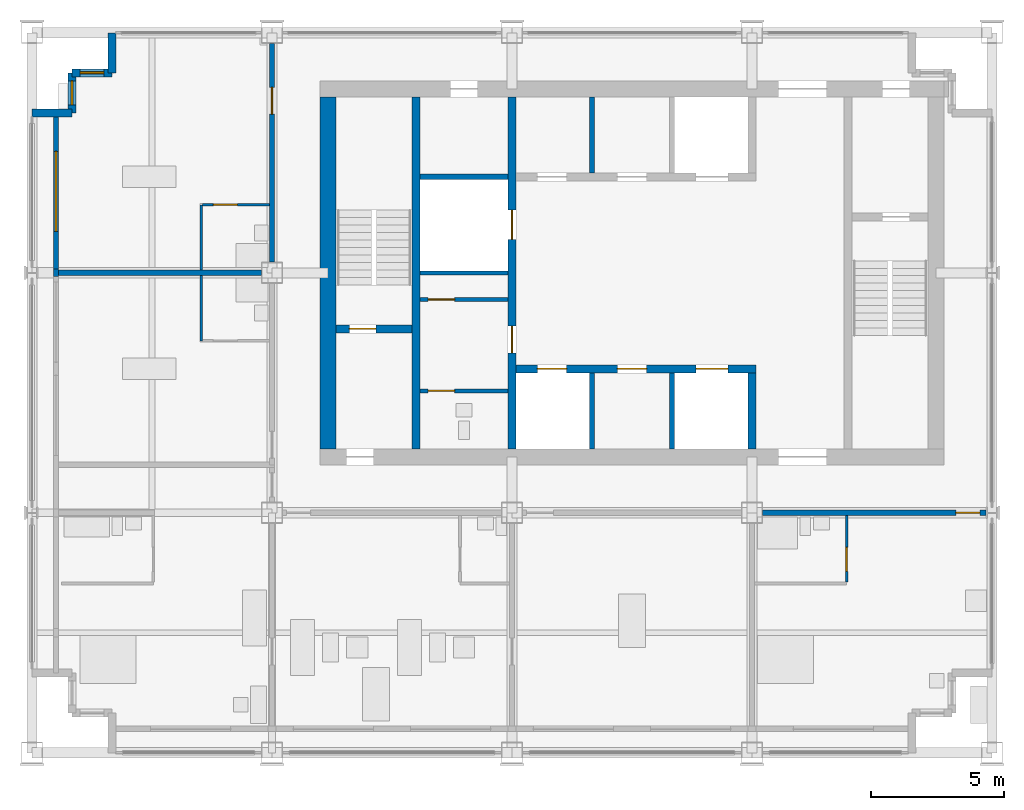
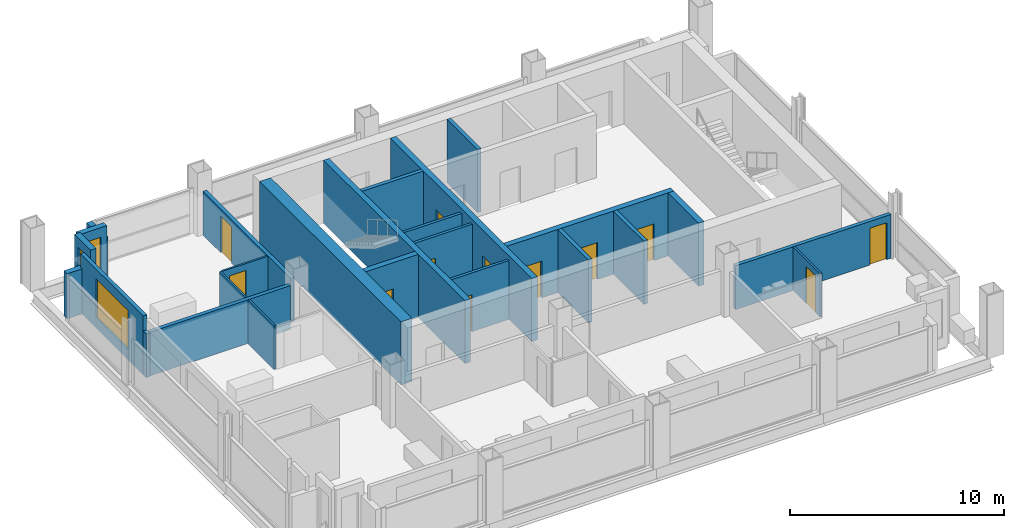
# One storey, part 7 of 11: 26 walls, 12 doors, 3 windows, 15 openings.
"""IFC4 building model written with IfcOpenShell, lengths in metres."""

from ifc_helpers import new_model, si_unit, direction, frame, frame_2d, origin, place, context, subcontext, project, spatial, rectangle, extrude, material, layer, layer_set, type_object, element, fill, save


model = new_model("IFC4")

# Units and contexts
model_context = context("Model", 3, precision=1e-05, world=origin(), true_north=direction((0.0, 1.0)))
body_context = subcontext(model_context, "Body", "Model", "MODEL_VIEW")
ifc_project = project(units=[si_unit("LENGTHUNIT", "METRE"), si_unit("AREAUNIT", "SQUARE_METRE"), si_unit("VOLUMEUNIT", "CUBIC_METRE"), si_unit("PLANEANGLEUNIT", "RADIAN"), si_unit("MASSUNIT", "GRAM", prefix="KILO")], contexts=[model_context])

# Site, building, storey
site_placement = place(None, origin())
site = spatial("IfcSite", under=ifc_project, at=site_placement, CompositionType="ELEMENT")
building_placement = place(site_placement, origin())
building = spatial("IfcBuilding", under=site, at=building_placement, Name="Loomwork Tower", CompositionType="ELEMENT")
storey_placement = place(building_placement, frame((0.0, 0.0, 266.199951171875)))
storey = spatial("IfcBuildingStorey", under=building, at=storey_placement, Name="L73", CompositionType="ELEMENT", Elevation=266.199951171875)

# Wall
ifc_material_1 = material(Name="Concrete 14000 psi (97 MPa)", Category="concrete")
ifc_layer_1 = layer(ifc_material_1, 0.300048828125)
ifc_layer_set_1 = layer_set([ifc_layer_1], Name="Core shear wall 300")
wall_type_1 = type_object("IfcWallType", Name="Core shear wall 300", PredefinedType="SHEAR", material=ifc_layer_set_1)
wall_1_placement = place(storey_placement, frame((14.39990234375, 11.39990234375, 0.0), z_axis=(0.0, 0.0, 1.0), x_axis=(0.0, 1.0, 0.0)))
element("IfcWall", 1, at=wall_1_placement, inside=storey, type_object=wall_type_1, Name="Stair A east wall L73", PredefinedType="SHEAR", context=body_context, shape_type="SweptSolid", body=[
    extrude(rectangle(XDim=13.2001953125, YDim=0.300048828125, at=frame_2d((6.60009765625, 0.0))), origin(), (0.0, 0.0, 1.0), 3.60009765625),
])

# Wall, opening, door
wall_2_placement = place(storey_placement, frame((11.39990234375, 15.89990234375, 0.0), z_axis=(0.0, 0.0, 1.0), x_axis=(1.0, 0.0, 0.0)))
wall_2 = element("IfcWall", 2, at=wall_2_placement, inside=storey, type_object=wall_type_1, Name="Stair A south wall L73", PredefinedType="SHEAR", context=body_context, shape_type="SweptSolid", body=[
    extrude(rectangle(XDim=2.85009765625, YDim=0.300048828125, at=frame_2d((1.425048828125, 0.0))), origin(), (0.0, 0.0, 1.0), 3.60009765625),
])
opening_1_placement = place(wall_2_placement, frame((0.5, 0.0, 0.0)))
opening_1 = element("IfcOpeningElement", 3, at=opening_1_placement, cuts=wall_2, Name="Opening D4", PredefinedType="OPENING", context=body_context, shape_type="SweptSolid", body=[
    extrude(rectangle(XDim=1.0, YDim=2.10009765625, at=frame_2d((0.5, 1.050048828125))), frame((0.0, 0.159912109375, 0.0), z_axis=(0.0, -1.0, 0.0), x_axis=(1.0, 0.0, 0.0)), (0.0, 0.0, 1.0), 0.320068359375),
])
ifc_material_2 = material(Name="Hollow metal door and frame")
door_type_1 = type_object("IfcDoorType", Name="Stair door 1000", OperationType="SINGLE_SWING_RIGHT", PredefinedType="DOOR", material=ifc_material_2)
door_1_placement = place(opening_1_placement, origin())
door_1 = element("IfcDoor", 4, at=door_1_placement, inside=storey, type_object=door_type_1, Name="Stair A door", OperationType="SINGLE_SWING_LEFT", OverallHeight=2.10009765625, OverallWidth=1.0, PredefinedType="DOOR", context=body_context, shape_type="SweptSolid", body=[
    extrude(rectangle(XDim=1.0, YDim=2.10009765625, at=frame_2d((0.5, 1.050048828125))), frame((0.0, 0.02490234375, 0.0), z_axis=(0.0, -1.0, 0.0), x_axis=(1.0, 0.0, 0.0)), (0.0, 0.0, 1.0), 0.050048828125),
])
fill(opening_1, door_1)

# Wall, openings, doors
wall_3_placement = place(storey_placement, frame((18.0, 11.39990234375, 0.0), z_axis=(0.0, 0.0, 1.0), x_axis=(0.0, 1.0, 0.0)))
wall_3 = element("IfcWall", 5, at=wall_3_placement, inside=storey, type_object=wall_type_1, Name="Lobby west wall L73", PredefinedType="SHEAR", context=body_context, shape_type="SweptSolid", body=[
    extrude(rectangle(XDim=13.2001953125, YDim=0.300048828125, at=frame_2d((6.60009765625, 0.0))), origin(), (0.0, 0.0, 1.0), 3.60009765625),
])
opening_2_placement = place(wall_3_placement, frame((3.60009765625, 0.0, 0.0)))
opening_2 = element("IfcOpeningElement", 6, at=opening_2_placement, cuts=wall_3, Name="Opening D5", PredefinedType="OPENING", context=body_context, shape_type="SweptSolid", body=[
    extrude(rectangle(XDim=1.0, YDim=2.10009765625, at=frame_2d((0.5, 1.050048828125))), frame((0.0, 0.159912109375, 0.0), z_axis=(0.0, -1.0, 0.0), x_axis=(1.0, 0.0, 0.0)), (0.0, 0.0, 1.0), 0.320068359375),
])
opening_3_placement = place(wall_3_placement, frame((7.85009765625, 0.0, 0.0)))
opening_3 = element("IfcOpeningElement", 7, at=opening_3_placement, cuts=wall_3, Name="Opening LD1", PredefinedType="OPENING", context=body_context, shape_type="SweptSolid", body=[
    extrude(rectangle(XDim=1.10009765625, YDim=2.10009765625, at=frame_2d((0.550048828125, 1.050048828125))), frame((0.0, 0.159912109375, 0.0), z_axis=(0.0, -1.0, 0.0), x_axis=(1.0, 0.0, 0.0)), (0.0, 0.0, 1.0), 0.320068359375),
])
ifc_material_3 = material(Name="Hollow metal door and frame")
door_type_2 = type_object("IfcDoorType", Name="Lift landing door 1100", OperationType="SLIDING_TO_LEFT", PredefinedType="DOOR", material=ifc_material_3)
door_2_placement = place(opening_3_placement, origin())
door_2 = element("IfcDoor", 8, at=door_2_placement, inside=storey, type_object=door_type_2, Name="Lift landing door LC2", OperationType="SLIDING_TO_LEFT", OverallHeight=2.10009765625, OverallWidth=1.10009765625, PredefinedType="DOOR", context=body_context, shape_type="SweptSolid", body=[
    extrude(rectangle(XDim=1.10009765625, YDim=2.10009765625, at=frame_2d((0.550048828125, 1.050048828125))), frame((0.0, 0.02490234375, 0.0), z_axis=(0.0, -1.0, 0.0), x_axis=(1.0, 0.0, 0.0)), (0.0, 0.0, 1.0), 0.050048828125),
])
fill(opening_3, door_2)
ifc_material_4 = material(Name="Hollow metal door and frame")
door_type_3 = type_object("IfcDoorType", Name="Service door 1000", OperationType="SINGLE_SWING_LEFT", PredefinedType="DOOR", material=ifc_material_4)
door_3_placement = place(opening_2_placement, origin())
door_3 = element("IfcDoor", 9, at=door_3_placement, inside=storey, type_object=door_type_3, Name="Back-of-house door south", OperationType="SINGLE_SWING_LEFT", OverallHeight=2.10009765625, OverallWidth=1.0, PredefinedType="DOOR", context=body_context, shape_type="SweptSolid", body=[
    extrude(rectangle(XDim=1.0, YDim=2.10009765625, at=frame_2d((0.5, 1.050048828125))), frame((0.0, 0.02490234375, 0.0), z_axis=(0.0, -1.0, 0.0), x_axis=(1.0, 0.0, 0.0)), (0.0, 0.0, 1.0), 0.050048828125),
])
fill(opening_2, door_3)

wall_4_placement = place(storey_placement, frame((18.14990234375, 14.39990234375, 0.0), z_axis=(0.0, 0.0, 1.0), x_axis=(1.0, 0.0, 0.0)))
wall_4 = element("IfcWall", 10, at=wall_4_placement, inside=storey, type_object=wall_type_1, Name="Lift front wall south L73", PredefinedType="SHEAR", context=body_context, shape_type="SweptSolid", body=[
    extrude(rectangle(XDim=9.0, YDim=0.300048828125, at=frame_2d((4.5, 0.0))), origin(), (0.0, 0.0, 1.0), 3.60009765625),
])
opening_4_placement = place(wall_4_placement, frame((0.800048828125, 0.0, 0.0)))
opening_4 = element("IfcOpeningElement", 11, at=opening_4_placement, cuts=wall_4, Name="Opening LD1", PredefinedType="OPENING", context=body_context, shape_type="SweptSolid", body=[
    extrude(rectangle(XDim=1.10009765625, YDim=2.10009765625, at=frame_2d((0.550048828125, 1.050048828125))), frame((0.0, 0.159912109375, 0.0), z_axis=(0.0, -1.0, 0.0), x_axis=(1.0, 0.0, 0.0)), (0.0, 0.0, 1.0), 0.320068359375),
])
opening_5_placement = place(wall_4_placement, frame((6.75, 0.0, 0.0)))
opening_5 = element("IfcOpeningElement", 12, at=opening_5_placement, cuts=wall_4, Name="Opening LD2", PredefinedType="OPENING", context=body_context, shape_type="SweptSolid", body=[
    extrude(rectangle(XDim=1.199951171875, YDim=2.10009765625, at=frame_2d((0.60009765625, 1.050048828125))), frame((0.0, 0.159912109375, 0.0), z_axis=(0.0, -1.0, 0.0), x_axis=(1.0, 0.0, 0.0)), (0.0, 0.0, 1.0), 0.320068359375),
])
opening_6_placement = place(wall_4_placement, frame((3.800048828125, 0.0, 0.0)))
opening_6 = element("IfcOpeningElement", 13, at=opening_6_placement, cuts=wall_4, Name="Opening D17", PredefinedType="OPENING", context=body_context, shape_type="SweptSolid", body=[
    extrude(rectangle(XDim=1.10009765625, YDim=2.10009765625, at=frame_2d((0.550048828125, 1.050048828125))), frame((0.0, 0.159912109375, 0.0), z_axis=(0.0, -1.0, 0.0), x_axis=(1.0, 0.0, 0.0)), (0.0, 0.0, 1.0), 0.320068359375),
])
door_4_placement = place(opening_4_placement, origin())
door_4 = element("IfcDoor", 14, at=door_4_placement, inside=storey, type_object=door_type_2, Name="Lift landing door LC1", OperationType="SLIDING_TO_LEFT", OverallHeight=2.10009765625, OverallWidth=1.10009765625, PredefinedType="DOOR", context=body_context, shape_type="SweptSolid", body=[
    extrude(rectangle(XDim=1.10009765625, YDim=2.10009765625, at=frame_2d((0.550048828125, 1.050048828125))), frame((0.0, 0.02490234375, 0.0), z_axis=(0.0, -1.0, 0.0), x_axis=(1.0, 0.0, 0.0)), (0.0, 0.0, 1.0), 0.050048828125),
])
fill(opening_4, door_4)
ifc_material_5 = material(Name="Hollow metal door and frame")
door_type_4 = type_object("IfcDoorType", Name="Lift landing door 1200", OperationType="SLIDING_TO_LEFT", PredefinedType="DOOR", material=ifc_material_5)
door_5_placement = place(opening_5_placement, origin())
door_5 = element("IfcDoor", 15, at=door_5_placement, inside=storey, type_object=door_type_4, Name="Lift landing door LF1", OperationType="SLIDING_TO_LEFT", OverallHeight=2.10009765625, OverallWidth=1.199951171875, PredefinedType="DOOR", context=body_context, shape_type="SweptSolid", body=[
    extrude(rectangle(XDim=1.199951171875, YDim=2.10009765625, at=frame_2d((0.60009765625, 1.050048828125))), frame((0.0, 0.02490234375, 0.0), z_axis=(0.0, -1.0, 0.0), x_axis=(1.0, 0.0, 0.0)), (0.0, 0.0, 1.0), 0.050048828125),
])
fill(opening_5, door_5)
ifc_material_6 = material(Name="Hollow metal door and frame")
door_type_5 = type_object("IfcDoorType", Name="Service room door 1100", OperationType="SINGLE_SWING_LEFT", PredefinedType="DOOR", material=ifc_material_6)
door_6_placement = place(opening_6_placement, frame((1.10009765625, 0.0, 0.0), z_axis=(0.0, 0.0, 1.0), x_axis=(-1.0, 0.0, 0.0)))
door_6 = element("IfcDoor", 16, at=door_6_placement, inside=storey, type_object=door_type_5, Name="Housekeeping store door L73", OperationType="SINGLE_SWING_RIGHT", OverallHeight=2.10009765625, OverallWidth=1.10009765625, PredefinedType="DOOR", context=body_context, shape_type="SweptSolid", body=[
    extrude(rectangle(XDim=1.10009765625, YDim=2.10009765625, at=frame_2d((0.550048828125, 1.050048828125))), frame((0.0, 0.02490234375, 0.0), z_axis=(0.0, -1.0, 0.0), x_axis=(1.0, 0.0, 0.0)), (0.0, 0.0, 1.0), 0.050048828125),
])
fill(opening_6, door_6)

# Walls
wall_5_placement = place(storey_placement, frame((27.0, 11.39990234375, 0.0), z_axis=(0.0, 0.0, 1.0), x_axis=(0.0, 1.0, 0.0)))
element("IfcWall", 17, at=wall_5_placement, inside=storey, type_object=wall_type_1, Name="Lift shaft end wall south L73", PredefinedType="SHEAR", context=body_context, shape_type="SweptSolid", body=[
    extrude(rectangle(XDim=2.85009765625, YDim=0.300048828125, at=frame_2d((1.425048828125, 0.0))), origin(), (0.0, 0.0, 1.0), 3.60009765625),
])
ifc_material_7 = material(Name="Concrete 14000 psi (97 MPa)", Category="concrete")
ifc_layer_2 = layer(ifc_material_7, 0.60009765625)
ifc_layer_set_2 = layer_set([ifc_layer_2], Name="Core shear wall 600")
wall_type_2 = type_object("IfcWallType", Name="Core shear wall 600", PredefinedType="SHEAR", material=ifc_layer_set_2)
wall_6_placement = place(storey_placement, frame((11.10009765625, 11.39990234375, 0.0), z_axis=(0.0, 0.0, 1.0), x_axis=(0.0, 1.0, 0.0)))
element("IfcWall", 18, at=wall_6_placement, inside=storey, type_object=wall_type_2, Name="Core wall west L73", PredefinedType="SHEAR", context=body_context, shape_type="SweptSolid", body=[
    extrude(rectangle(XDim=13.2001953125, YDim=0.60009765625, at=frame_2d((6.60009765625, 0.0))), origin(), (0.0, 0.0, 1.0), 3.60009765625),
])

# Wall, opening, door
ifc_material_8 = material(Name="Gypsum board on steel studs, one-hour", Category="steel")
ifc_layer_3 = layer(ifc_material_8, 0.199951171875)
ifc_layer_set_3 = layer_set([ifc_layer_3], Name="Corridor wall 200")
wall_type_3 = type_object("IfcWallType", Name="Corridor wall 200", PredefinedType="PARTITIONING", material=ifc_layer_set_3)
wall_7_placement = place(storey_placement, frame((27.39990234375, 9.0, 0.0), z_axis=(0.0, 0.0, 1.0), x_axis=(1.0, 0.0, 0.0)))
wall_7 = element("IfcWall", 19, at=wall_7_placement, inside=storey, type_object=wall_type_3, Name="South corridor wall 4", PredefinedType="PARTITIONING", context=body_context, shape_type="SweptSolid", body=[
    extrude(rectangle(XDim=8.377685546875, YDim=0.199951171875, at=frame_2d((4.18896484375, 0.0))), origin(), (0.0, 0.0, 1.0), 2.491455078125),
])
opening_7_placement = place(wall_7_placement, frame((7.25, 0.0, 0.0)))
opening_7 = element("IfcOpeningElement", 20, at=opening_7_placement, cuts=wall_7, Name="Opening D1", PredefinedType="OPENING", context=body_context, shape_type="SweptSolid", body=[
    extrude(rectangle(XDim=0.89990234375, YDim=2.10009765625, at=frame_2d((0.449951171875, 1.050048828125))), frame((0.0, 0.10986328125, 0.0), z_axis=(0.0, -1.0, 0.0), x_axis=(1.0, 0.0, 0.0)), (0.0, 0.0, 1.0), 0.219970703125),
])
ifc_material_9 = material(Name="Hollow metal door and frame")
door_type_6 = type_object("IfcDoorType", Name="Guest room entry door 900", OperationType="SINGLE_SWING_LEFT", PredefinedType="DOOR", material=ifc_material_9)
door_7_placement = place(opening_7_placement, frame((0.89990234375, 0.0, 0.0), z_axis=(0.0, 0.0, 1.0), x_axis=(-1.0, 0.0, 0.0)))
door_7 = element("IfcDoor", 21, at=door_7_placement, inside=storey, type_object=door_type_6, Name="Guest room entry door L73 4", OperationType="SINGLE_SWING_RIGHT", OverallHeight=2.10009765625, OverallWidth=0.89990234375, PredefinedType="DOOR", context=body_context, shape_type="SweptSolid", body=[
    extrude(rectangle(XDim=0.89990234375, YDim=2.10009765625, at=frame_2d((0.449951171875, 1.050048828125))), frame((0.0, 0.02490234375, 0.0), z_axis=(0.0, -1.0, 0.0), x_axis=(1.0, 0.0, 0.0)), (0.0, 0.0, 1.0), 0.050048828125),
])
fill(opening_7, door_7)

wall_8_placement = place(storey_placement, frame((9.0, 18.39990234375, 0.0), z_axis=(0.0, 0.0, 1.0), x_axis=(0.0, 1.0, 0.0)))
wall_8 = element("IfcWall", 22, at=wall_8_placement, inside=storey, type_object=wall_type_3, Name="West corridor wall 2", PredefinedType="PARTITIONING", context=body_context, shape_type="SweptSolid", body=[
    extrude(rectangle(XDim=8.2001953125, YDim=0.199951171875, at=frame_2d((4.10009765625, 0.0))), origin(), (0.0, 0.0, 1.0), 2.491455078125),
])
opening_8_placement = place(wall_8_placement, frame((5.550048828125, 0.0, 0.0)))
opening_8 = element("IfcOpeningElement", 23, at=opening_8_placement, cuts=wall_8, Name="Opening D15", PredefinedType="OPENING", context=body_context, shape_type="SweptSolid", body=[
    extrude(rectangle(XDim=1.0, YDim=2.10009765625, at=frame_2d((0.5, 1.050048828125))), frame((0.0, 0.10986328125, 0.0), z_axis=(0.0, -1.0, 0.0), x_axis=(1.0, 0.0, 0.0)), (0.0, 0.0, 1.0), 0.219970703125),
])
ifc_material_10 = material(Name="Hollow metal door and frame")
door_type_7 = type_object("IfcDoorType", Name="Fire-rated room door 1000", OperationType="SINGLE_SWING_LEFT", PredefinedType="DOOR", material=ifc_material_10)
door_8_placement = place(opening_8_placement, origin())
door_8 = element("IfcDoor", 24, at=door_8_placement, inside=storey, type_object=door_type_7, Name="Spa treatment room door L73 6", OperationType="SINGLE_SWING_RIGHT", OverallHeight=2.10009765625, OverallWidth=1.0, PredefinedType="DOOR", context=body_context, shape_type="SweptSolid", body=[
    extrude(rectangle(XDim=1.0, YDim=2.10009765625, at=frame_2d((0.5, 1.050048828125))), frame((0.0, 0.02490234375, 0.0), z_axis=(0.0, -1.0, 0.0), x_axis=(1.0, 0.0, 0.0)), (0.0, 0.0, 1.0), 0.050048828125),
])
fill(opening_8, door_8)

ifc_material_11 = material(Name="Cement board on steel studs", Category="steel")
ifc_layer_4 = layer(ifc_material_11, 0.10009765625)
ifc_layer_set_4 = layer_set([ifc_layer_4], Name="En-suite partition 100")
wall_type_4 = type_object("IfcWallType", Name="En-suite partition 100", PredefinedType="PARTITIONING", material=ifc_layer_set_4)
wall_9_placement = place(storey_placement, frame((30.550048828125, 8.89990234375, 0.0), z_axis=(0.0, 0.0, 1.0), x_axis=(0.0, -1.0, 0.0)))
wall_9 = element("IfcWall", 25, at=wall_9_placement, inside=storey, type_object=wall_type_4, Name="En-suite side wall L73 room 4", PredefinedType="PARTITIONING", context=body_context, shape_type="SweptSolid", body=[
    extrude(rectangle(XDim=2.5, YDim=0.10009765625, at=frame_2d((1.25, 0.0))), origin(), (0.0, 0.0, 1.0), 2.490966796875),
])
opening_9_placement = place(wall_9_placement, frame((1.199951171875, 0.0, 0.0)))
opening_9 = element("IfcOpeningElement", 26, at=opening_9_placement, cuts=wall_9, Name="Opening D3", PredefinedType="OPENING", context=body_context, shape_type="SweptSolid", body=[
    extrude(rectangle(XDim=0.89990234375, YDim=2.10009765625, at=frame_2d((0.449951171875, 1.050048828125))), frame((0.0, 0.06005859375, 0.0), z_axis=(0.0, -1.0, 0.0), x_axis=(1.0, 0.0, 0.0)), (0.0, 0.0, 1.0), 0.1201171875),
])
ifc_material_12 = material(Name="Hollow metal door and frame")
door_type_8 = type_object("IfcDoorType", Name="Accessible en-suite door 900", OperationType="SLIDING_TO_LEFT", PredefinedType="DOOR", material=ifc_material_12)
door_9_placement = place(opening_9_placement, origin())
door_9 = element("IfcDoor", 27, at=door_9_placement, inside=storey, type_object=door_type_8, Name="Accessible en-suite door room 4", OperationType="SLIDING_TO_LEFT", OverallHeight=2.10009765625, OverallWidth=0.89990234375, PredefinedType="DOOR", context=body_context, shape_type="SweptSolid", body=[
    extrude(rectangle(XDim=0.89990234375, YDim=2.10009765625, at=frame_2d((0.449951171875, 1.050048828125))), frame((0.0, 0.02490234375, 0.0), z_axis=(0.0, -1.0, 0.0), x_axis=(1.0, 0.0, 0.0)), (0.0, 0.0, 1.0), 0.050048828125),
])
fill(opening_9, door_9)

# Walls
for number, where, z_axis, x_axis, name in (
    (28, (6.35009765625, 15.449951171875, 0.0), (0.0, 0.0, 1.0), (0.0, 1.0, 0.0), "En-suite wall L73 room 5"),
    (29, (6.35009765625, 18.10009765625, 0.0), (0.0, 0.0, 1.0), (0.0, 1.0, 0.0), "En-suite wall L73 room 6"),
):
    element("IfcWall", number, at=place(storey_placement, frame(where, z_axis=z_axis, x_axis=x_axis)), inside=storey, type_object=wall_type_4, Name=name, PredefinedType="PARTITIONING", context=body_context, shape_type="SweptSolid", body=[
        extrude(rectangle(XDim=2.449951171875, YDim=0.10009765625, at=frame_2d((1.22509765625, 0.0))), origin(), (0.0, 0.0, 1.0), 2.490966796875),
    ])

# Wall, opening, door
wall_10_placement = place(storey_placement, frame((8.89990234375, 20.550048828125, 0.0), z_axis=(0.0, 0.0, 1.0), x_axis=(-1.0, 0.0, 0.0)))
wall_10 = element("IfcWall", 30, at=wall_10_placement, inside=storey, type_object=wall_type_4, Name="En-suite side wall L73 room 6", PredefinedType="PARTITIONING", context=body_context, shape_type="SweptSolid", body=[
    extrude(rectangle(XDim=2.5, YDim=0.10009765625, at=frame_2d((1.25, 0.0))), origin(), (0.0, 0.0, 1.0), 2.490966796875),
])
opening_10_placement = place(wall_10_placement, frame((1.199951171875, 0.0, 0.0)))
opening_10 = element("IfcOpeningElement", 31, at=opening_10_placement, cuts=wall_10, Name="Opening D2", PredefinedType="OPENING", context=body_context, shape_type="SweptSolid", body=[
    extrude(rectangle(XDim=0.89990234375, YDim=2.10009765625, at=frame_2d((0.449951171875, 1.050048828125))), frame((0.0, 0.06005859375, 0.0), z_axis=(0.0, -1.0, 0.0), x_axis=(1.0, 0.0, 0.0)), (0.0, 0.0, 1.0), 0.1201171875),
])
ifc_material_13 = material(Name="Hollow metal door and frame")
door_type_9 = type_object("IfcDoorType", Name="En-suite door 900", OperationType="SINGLE_SWING_LEFT", PredefinedType="DOOR", material=ifc_material_13)
door_10_placement = place(opening_10_placement, origin())
door_10 = element("IfcDoor", 32, at=door_10_placement, inside=storey, type_object=door_type_9, Name="Treatment shower room door room 6", OperationType="SINGLE_SWING_RIGHT", OverallHeight=2.10009765625, OverallWidth=0.89990234375, PredefinedType="DOOR", context=body_context, shape_type="SweptSolid", body=[
    extrude(rectangle(XDim=0.89990234375, YDim=2.10009765625, at=frame_2d((0.449951171875, 1.050048828125))), frame((0.0, 0.02490234375, 0.0), z_axis=(0.0, -1.0, 0.0), x_axis=(1.0, 0.0, 0.0)), (0.0, 0.0, 1.0), 0.050048828125),
])
fill(opening_10, door_10)

# Walls
ifc_material_14 = material(Name="Gypsum board on steel studs, acoustic", Category="steel")
ifc_layer_5 = layer(ifc_material_14, 0.199951171875)
ifc_layer_set_5 = layer_set([ifc_layer_5], Name="Guest room party wall 200")
wall_type_5 = type_object("IfcWallType", Name="Guest room party wall 200", PredefinedType="PARTITIONING", material=ifc_layer_set_5)
wall_11_placement = place(storey_placement, frame((8.60009765625, 18.0, 0.0), z_axis=(0.0, 0.0, 1.0), x_axis=(-1.0, 0.0, 0.0)))
element("IfcWall", 33, at=wall_11_placement, inside=storey, type_object=wall_type_5, Name="Guest room party wall W 18", PredefinedType="PARTITIONING", context=body_context, shape_type="SweptSolid", body=[
    extrude(rectangle(XDim=7.60009765625, YDim=0.199951171875, at=frame_2d((3.800048828125, 0.0))), origin(), (0.0, 0.0, 1.0), 2.491455078125),
])
ifc_material_15 = material(Name="Insulated steel stud wall with gypsum lining", Category="steel")
ifc_layer_6 = layer(ifc_material_15, 0.199951171875)
ifc_layer_set_6 = layer_set([ifc_layer_6], Name="Inner skin wall 200")
wall_type_6 = type_object("IfcWallType", Name="Inner skin wall 200", PredefinedType="SOLIDWALL", material=ifc_layer_set_6)
wall_12_placement = place(storey_placement, frame((0.89990234375, 17.85205078125, 0.0), z_axis=(0.0, 0.0, 1.0), x_axis=(0.0, 1.0, 0.0)))
element("IfcWall", 34, at=wall_12_placement, inside=storey, type_object=wall_type_6, Name="Inner skin wall W bay 6", PredefinedType="SOLIDWALL", context=body_context, shape_type="SweptSolid", body=[
    extrude(rectangle(XDim=0.2958984375, YDim=0.199951171875, at=frame_2d((0.14794921875, 0.0))), origin(), (0.0, 0.0, 1.0), 2.490966796875),
])

# Wall, opening, window
wall_13_placement = place(storey_placement, frame((0.89990234375, 18.14794921875, 0.0), z_axis=(0.0, 0.0, 1.0), x_axis=(0.0, 1.0, 0.0)))
wall_13 = element("IfcWall", 35, at=wall_13_placement, inside=storey, type_object=wall_type_6, Name="Inner skin wall W bay 7", PredefinedType="SOLIDWALL", context=body_context, shape_type="SweptSolid", body=[
    extrude(rectangle(XDim=5.85205078125, YDim=0.199951171875, at=frame_2d((2.926025390625, 0.0))), origin(), (0.0, 0.0, 1.0), 3.35009765625),
])
opening_11_placement = place(wall_13_placement, frame((1.402099609375, 0.0, 0.60009765625)))
opening_11 = element("IfcOpeningElement", 36, at=opening_11_placement, cuts=wall_13, Name="Opening CH1", PredefinedType="OPENING", context=body_context, shape_type="SweptSolid", body=[
    extrude(rectangle(XDim=3.0, YDim=2.199951171875, at=frame_2d((1.5, 1.10009765625))), frame((0.0, 0.10986328125, 0.0), z_axis=(0.0, -1.0, 0.0), x_axis=(1.0, 0.0, 0.0)), (0.0, 0.0, 1.0), 0.219970703125),
])
ifc_material_16 = material(Name="Aluminium frame with clear insulated glass", Category="aluminium")
window_type_1 = type_object("IfcWindowType", Name="Chicago window 3000", PartitioningType="TRIPLE_PANEL_VERTICAL", PredefinedType="WINDOW", material=ifc_material_16)
window_1_placement = place(opening_11_placement, origin())
window_1 = element("IfcWindow", 37, at=window_1_placement, inside=storey, type_object=window_type_1, Name="Chicago window L73 bay 6", OverallHeight=2.199951171875, OverallWidth=3.0, PartitioningType="TRIPLE_PANEL_VERTICAL", PredefinedType="WINDOW", context=body_context, shape_type="SweptSolid", body=[
    extrude(rectangle(XDim=3.0, YDim=2.199951171875, at=frame_2d((1.5, 1.10009765625))), frame((0.0, 0.030029296875, 0.0), z_axis=(0.0, -1.0, 0.0), x_axis=(1.0, 0.0, 0.0)), (0.0, 0.0, 1.0), 0.06005859375),
])
fill(opening_11, window_1)

# Walls
ifc_material_17 = material(Name="Concrete 14000 psi (97 MPa)", Category="concrete")
ifc_layer_7 = layer(ifc_material_17, 0.199951171875)
ifc_layer_set_7 = layer_set([ifc_layer_7], Name="Lift shaft wall 200")
wall_type_7 = type_object("IfcWallType", Name="Lift shaft wall 200", PredefinedType="SHEAR", material=ifc_layer_set_7)
for number, where, z_axis, x_axis, name in (
    (38, (21.0, 11.39990234375, 0.0), (0.0, 0.0, 1.0), (0.0, 1.0, 0.0), "Lift shaft separation wall south 1 L73"),
    (39, (24.0, 11.39990234375, 0.0), (0.0, 0.0, 1.0), (0.0, 1.0, 0.0), "Lift shaft separation wall south 2 L73"),
    (40, (21.0, 21.75, 0.0), (0.0, 0.0, 1.0), (0.0, 1.0, 0.0), "Lift shaft separation wall north 1 L73"),
):
    element("IfcWall", number, at=place(storey_placement, frame(where, z_axis=z_axis, x_axis=x_axis)), inside=storey, type_object=wall_type_7, Name=name, PredefinedType="SHEAR", context=body_context, shape_type="SweptSolid", body=[
        extrude(rectangle(XDim=2.85009765625, YDim=0.199951171875, at=frame_2d((1.425048828125, 0.0))), origin(), (0.0, 0.0, 1.0), 3.60009765625),
    ])
wall_14_placement = place(storey_placement, frame((14.550048828125, 21.60009765625, 0.0), z_axis=(0.0, 0.0, 1.0), x_axis=(1.0, 0.0, 0.0)))
element("IfcWall", 41, at=wall_14_placement, inside=storey, type_object=wall_type_7, Name="Lift shaft wall west north L73", PredefinedType="SHEAR", context=body_context, shape_type="SweptSolid", body=[
    extrude(rectangle(XDim=3.300048828125, YDim=0.199951171875, at=frame_2d((1.64990234375, 0.0))), origin(), (0.0, 0.0, 1.0), 3.60009765625),
])
ifc_material_18 = material(Name="Limestone on concrete masonry", Category="masonry")
ifc_layer_8 = layer(ifc_material_18, 0.300048828125)
ifc_layer_set_8 = layer_set([ifc_layer_8], Name="Limestone corner wall 300")
wall_type_8 = type_object("IfcWallType", Name="Limestone corner wall 300", PredefinedType="SOLIDWALL", material=ifc_layer_set_8)
wall_15_placement = place(storey_placement, frame((3.0, 27.0, 0.0), z_axis=(0.0, 0.0, 1.0), x_axis=(0.0, -1.0, 0.0)))
element("IfcWall", 42, at=wall_15_placement, inside=storey, type_object=wall_type_8, Name="Stone corner wall NW 1", PredefinedType="SOLIDWALL", context=body_context, shape_type="SweptSolid", body=[
    extrude(rectangle(XDim=1.5, YDim=0.300048828125, at=frame_2d((0.75, 0.0))), origin(), (0.0, 0.0, 1.0), 2.570068359375),
])

# Wall, opening, window
wall_16_placement = place(storey_placement, frame((3.0, 25.5, 0.0), z_axis=(0.0, 0.0, 1.0), x_axis=(-1.0, 0.0, 0.0)))
wall_16 = element("IfcWall", 43, at=wall_16_placement, inside=storey, type_object=wall_type_8, Name="Stone corner wall NW 2", PredefinedType="SOLIDWALL", context=body_context, shape_type="SweptSolid", body=[
    extrude(rectangle(XDim=1.5, YDim=0.300048828125, at=frame_2d((0.75, 0.0))), origin(), (0.0, 0.0, 1.0), 3.35009765625),
])
opening_12_placement = place(wall_16_placement, frame((0.300048828125, 0.0, 0.60009765625)))
opening_12 = element("IfcOpeningElement", 44, at=opening_12_placement, cuts=wall_16, Name="Opening CH2", PredefinedType="OPENING", context=body_context, shape_type="SweptSolid", body=[
    extrude(rectangle(XDim=0.89990234375, YDim=2.199951171875, at=frame_2d((0.449951171875, 1.10009765625))), frame((0.0, 0.159912109375, 0.0), z_axis=(0.0, -1.0, 0.0), x_axis=(1.0, 0.0, 0.0)), (0.0, 0.0, 1.0), 0.320068359375),
])
ifc_material_19 = material(Name="Aluminium frame with clear insulated glass", Category="aluminium")
window_type_2 = type_object("IfcWindowType", Name="Corner window 900", PartitioningType="SINGLE_PANEL", PredefinedType="WINDOW", material=ifc_material_19)
window_2_placement = place(opening_12_placement, origin())
window_2 = element("IfcWindow", 45, at=window_2_placement, inside=storey, type_object=window_type_2, Name="Corner window NW", OverallHeight=2.199951171875, OverallWidth=0.89990234375, PartitioningType="SINGLE_PANEL", PredefinedType="WINDOW", context=body_context, shape_type="SweptSolid", body=[
    extrude(rectangle(XDim=0.89990234375, YDim=2.199951171875, at=frame_2d((0.449951171875, 1.10009765625))), frame((0.0, 0.030029296875, 0.0), z_axis=(0.0, -1.0, 0.0), x_axis=(1.0, 0.0, 0.0)), (0.0, 0.0, 1.0), 0.06005859375),
])
fill(opening_12, window_2)

wall_17_placement = place(storey_placement, frame((1.5, 25.5, 0.0), z_axis=(0.0, 0.0, 1.0), x_axis=(0.0, -1.0, 0.0)))
wall_17 = element("IfcWall", 46, at=wall_17_placement, inside=storey, type_object=wall_type_8, Name="Stone corner wall NW 3", PredefinedType="SOLIDWALL", context=body_context, shape_type="SweptSolid", body=[
    extrude(rectangle(XDim=1.5, YDim=0.300048828125, at=frame_2d((0.75, 0.0))), origin(), (0.0, 0.0, 1.0), 3.35009765625),
])
opening_13_placement = place(wall_17_placement, frame((0.300048828125, 0.0, 0.60009765625)))
opening_13 = element("IfcOpeningElement", 47, at=opening_13_placement, cuts=wall_17, Name="Opening CH2", PredefinedType="OPENING", context=body_context, shape_type="SweptSolid", body=[
    extrude(rectangle(XDim=0.89990234375, YDim=2.199951171875, at=frame_2d((0.449951171875, 1.10009765625))), frame((0.0, 0.159912109375, 0.0), z_axis=(0.0, -1.0, 0.0), x_axis=(1.0, 0.0, 0.0)), (0.0, 0.0, 1.0), 0.320068359375),
])
window_3_placement = place(opening_13_placement, origin())
window_3 = element("IfcWindow", 48, at=window_3_placement, inside=storey, type_object=window_type_2, Name="Corner window NW", OverallHeight=2.199951171875, OverallWidth=0.89990234375, PartitioningType="SINGLE_PANEL", PredefinedType="WINDOW", context=body_context, shape_type="SweptSolid", body=[
    extrude(rectangle(XDim=0.89990234375, YDim=2.199951171875, at=frame_2d((0.449951171875, 1.10009765625))), frame((0.0, 0.030029296875, 0.0), z_axis=(0.0, -1.0, 0.0), x_axis=(1.0, 0.0, 0.0)), (0.0, 0.0, 1.0), 0.06005859375),
])
fill(opening_13, window_3)

# Walls
wall_18_placement = place(storey_placement, frame((1.5, 24.0, 0.0), z_axis=(0.0, 0.0, 1.0), x_axis=(-1.0, 0.0, 0.0)))
element("IfcWall", 49, at=wall_18_placement, inside=storey, type_object=wall_type_8, Name="Stone corner wall NW 4", PredefinedType="SOLIDWALL", context=body_context, shape_type="SweptSolid", body=[
    extrude(rectangle(XDim=1.5, YDim=0.300048828125, at=frame_2d((0.75, 0.0))), origin(), (0.0, 0.0, 1.0), 2.570068359375),
])
ifc_material_20 = material(Name="Gypsum board on steel studs", Category="steel")
ifc_layer_9 = layer(ifc_material_20, 0.14990234375)
ifc_layer_set_9 = layer_set([ifc_layer_9], Name="Partition 150 two-hour")
wall_type_9 = type_object("IfcWallType", Name="Partition 150 two-hour", PredefinedType="PARTITIONING", material=ifc_layer_set_9)
wall_19_placement = place(storey_placement, frame((14.550048828125, 18.0, 0.0), z_axis=(0.0, 0.0, 1.0), x_axis=(1.0, 0.0, 0.0)))
element("IfcWall", 50, at=wall_19_placement, inside=storey, type_object=wall_type_9, Name="Back-of-house dividing wall L73", PredefinedType="PARTITIONING", context=body_context, shape_type="SweptSolid", body=[
    extrude(rectangle(XDim=3.300048828125, YDim=0.14990234375, at=frame_2d((1.64990234375, 0.0))), origin(), (0.0, 0.0, 1.0), 3.35009765625),
])

# Wall, opening, door
ifc_material_21 = material(Name="Gypsum board on steel studs, one-hour", Category="steel")
ifc_layer_10 = layer(ifc_material_21, 0.14990234375)
ifc_layer_set_10 = layer_set([ifc_layer_10], Name="Service partition 150")
wall_type_10 = type_object("IfcWallType", Name="Service partition 150", PredefinedType="PARTITIONING", material=ifc_layer_set_10)
wall_20_placement = place(storey_placement, frame((14.550048828125, 17.0, 0.0), z_axis=(0.0, 0.0, 1.0), x_axis=(1.0, 0.0, 0.0)))
wall_20 = element("IfcWall", 51, at=wall_20_placement, inside=storey, type_object=wall_type_10, Name="Riser enclosure L73", PredefinedType="PARTITIONING", context=body_context, shape_type="SweptSolid", body=[
    extrude(rectangle(XDim=3.300048828125, YDim=0.14990234375, at=frame_2d((1.64990234375, 0.0))), origin(), (0.0, 0.0, 1.0), 3.35009765625),
])
opening_14_placement = place(wall_20_placement, frame((0.300048828125, 0.0, 0.0)))
opening_14 = element("IfcOpeningElement", 52, at=opening_14_placement, cuts=wall_20, Name="Opening D18", PredefinedType="OPENING", context=body_context, shape_type="SweptSolid", body=[
    extrude(rectangle(XDim=1.0, YDim=2.10009765625, at=frame_2d((0.5, 1.050048828125))), frame((0.0, 0.0849609375, 0.0), z_axis=(0.0, -1.0, 0.0), x_axis=(1.0, 0.0, 0.0)), (0.0, 0.0, 1.0), 0.169921875),
])
ifc_material_22 = material(Name="Hollow metal door and frame")
door_type_10 = type_object("IfcDoorType", Name="Ninety-minute service door 1000", OperationType="SINGLE_SWING_LEFT", PredefinedType="DOOR", material=ifc_material_22)
door_11_placement = place(opening_14_placement, frame((1.0, 0.0, 0.0), z_axis=(0.0, 0.0, 1.0), x_axis=(-1.0, 0.0, 0.0)))
door_11 = element("IfcDoor", 53, at=door_11_placement, inside=storey, type_object=door_type_10, Name="Riser access door", OperationType="SINGLE_SWING_RIGHT", OverallHeight=2.10009765625, OverallWidth=1.0, PredefinedType="DOOR", context=body_context, shape_type="SweptSolid", body=[
    extrude(rectangle(XDim=1.0, YDim=2.10009765625, at=frame_2d((0.5, 1.050048828125))), frame((0.0, 0.02490234375, 0.0), z_axis=(0.0, -1.0, 0.0), x_axis=(1.0, 0.0, 0.0)), (0.0, 0.0, 1.0), 0.050048828125),
])
fill(opening_14, door_11)

wall_21_placement = place(storey_placement, frame((14.550048828125, 13.574951171875, 0.0), z_axis=(0.0, 0.0, 1.0), x_axis=(1.0, 0.0, 0.0)))
wall_21 = element("IfcWall", 54, at=wall_21_placement, inside=storey, type_object=wall_type_10, Name="Back-of-house partition L73", PredefinedType="PARTITIONING", context=body_context, shape_type="SweptSolid", body=[
    extrude(rectangle(XDim=3.300048828125, YDim=0.14990234375, at=frame_2d((1.64990234375, 0.0))), origin(), (0.0, 0.0, 1.0), 3.35009765625),
])
opening_15_placement = place(wall_21_placement, frame((0.300048828125, 0.0, 0.0)))
opening_15 = element("IfcOpeningElement", 55, at=opening_15_placement, cuts=wall_21, Name="Opening D5", PredefinedType="OPENING", context=body_context, shape_type="SweptSolid", body=[
    extrude(rectangle(XDim=1.0, YDim=2.10009765625, at=frame_2d((0.5, 1.050048828125))), frame((0.0, 0.0849609375, 0.0), z_axis=(0.0, -1.0, 0.0), x_axis=(1.0, 0.0, 0.0)), (0.0, 0.0, 1.0), 0.169921875),
])
door_12_placement = place(opening_15_placement, frame((1.0, 0.0, 0.0), z_axis=(0.0, 0.0, 1.0), x_axis=(-1.0, 0.0, 0.0)))
door_12 = element("IfcDoor", 56, at=door_12_placement, inside=storey, type_object=door_type_3, Name="Back-of-house room door", OperationType="SINGLE_SWING_RIGHT", OverallHeight=2.10009765625, OverallWidth=1.0, PredefinedType="DOOR", context=body_context, shape_type="SweptSolid", body=[
    extrude(rectangle(XDim=1.0, YDim=2.10009765625, at=frame_2d((0.5, 1.050048828125))), frame((0.0, 0.02490234375, 0.0), z_axis=(0.0, -1.0, 0.0), x_axis=(1.0, 0.0, 0.0)), (0.0, 0.0, 1.0), 0.050048828125),
])
fill(opening_15, door_12)

save(model, "model.ifc")
